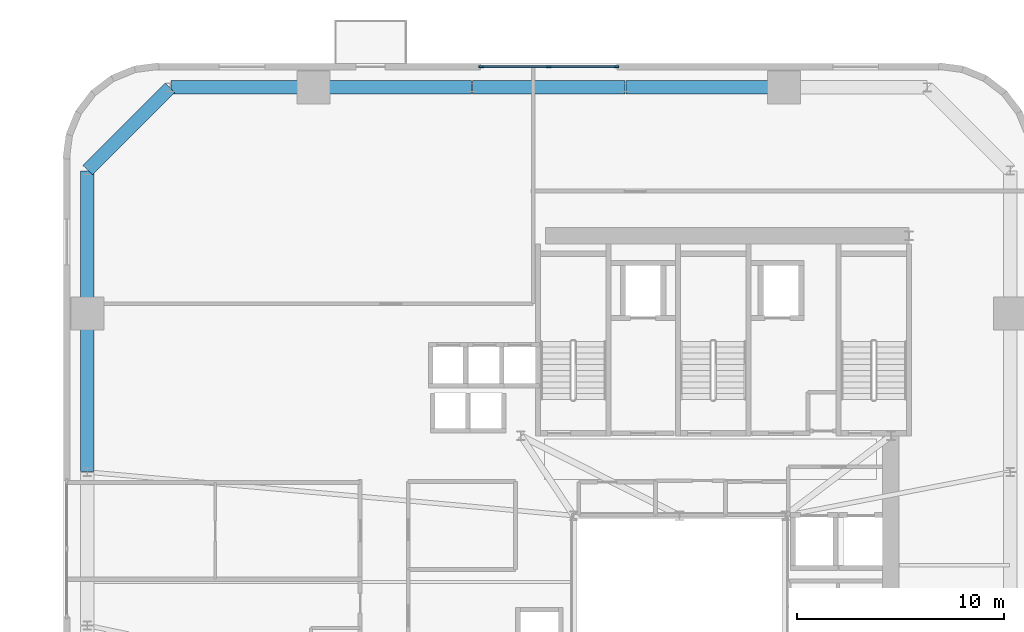
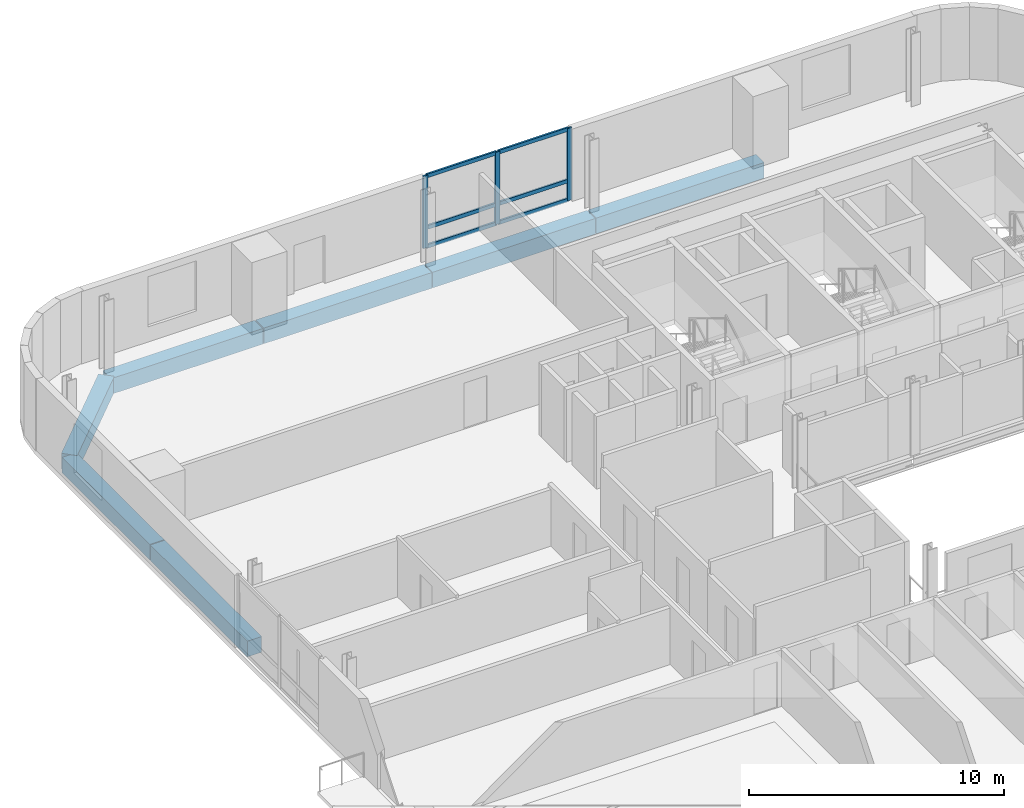
# One storey, part 4 of 11: 9 members, 7 beams, 1 element without a shape of its own.
"""IFC4 building model written with IfcOpenShell, lengths in metres."""

from ifc_helpers import new_model, si_unit, direction, frame, origin, origin_2d, place, context, subcontext, project, spatial, rectangle, extrude, source, transform, mapped, material, material_profile, profile_set, type_object, element, aggregate, save


model = new_model("IFC4")

# Units and contexts
model_context = context("Model", 3, precision=1e-05, world=origin(), true_north=direction((0.0, 1.0)))
body_context = subcontext(model_context, "Body", "Model", "MODEL_VIEW")
ifc_project = project(units=[si_unit("LENGTHUNIT", "METRE"), si_unit("AREAUNIT", "SQUARE_METRE"), si_unit("VOLUMEUNIT", "CUBIC_METRE"), si_unit("PLANEANGLEUNIT", "RADIAN"), si_unit("MASSUNIT", "GRAM", prefix="KILO")], contexts=[model_context])

# Site, building, storey
site_placement = place(None, origin())
site = spatial("IfcSite", under=ifc_project, at=site_placement, CompositionType="ELEMENT")
building_placement = place(site_placement, origin())
building = spatial("IfcBuilding", under=site, at=building_placement, Name="Vardaveli Station Tower", CompositionType="ELEMENT")
storey_placement = place(building_placement, frame((0.0, 0.0, 137.199951171875)))
storey = spatial("IfcBuildingStorey", under=building, at=storey_placement, Name="L35", CompositionType="ELEMENT", Elevation=137.199951171875)

# Beams
ifc_material_1 = material(Name="Precast concrete C45/55", Category="concrete")
ifc_material_profile_1 = material_profile(ifc_material_1, rectangle(XDim=0.64990234375, YDim=0.75, at=origin_2d()), Name="LPB 650x750")
ifc_profile_set_1 = profile_set([ifc_material_profile_1], Name="Precast concrete C45/55")
beam_type = type_object("IfcBeamType", Name="BM-LPB-750", PredefinedType="BEAM", material=ifc_profile_set_1)
shared_shape_1 = source(origin(), body_context, "Body", "SweptSolid", [
    extrude(rectangle(XDim=0.64990234375, YDim=0.75, at=origin_2d()), origin(), (0.0, 0.0, 1.0), 7.60009765625),
])
for number, where, z_axis, x_axis, name in (
    (1, (41.320068359375, 47.449951171875, -0.614990234375), (-1.0, 0.0, 0.0), (0.0, -1.0, 0.0), "RBM-L35-13"),
    (2, (26.280029296875, 47.449951171875, -0.614990234375), (-1.0, 0.0, 0.0), (0.0, -1.0, 0.0), "RBM-L35-15"),
    (3, (7.75, 36.52001953125, -0.614990234375), (0.0, -1.0, 0.0), (1.0, 0.0, 0.0), "RBM-L35-19"),
):
    element("IfcBeam", number, at=place(storey_placement, frame(where, z_axis=z_axis, x_axis=x_axis)), inside=storey, type_object=beam_type, Name=name, PredefinedType="BEAM", context=body_context, shape_type="MappedRepresentation", body=[
        mapped(shared_shape_1, transform((0.0, 0.0, 0.0), scale=1.0)),
    ])
shared_shape_2 = source(origin(), body_context, "Body", "SweptSolid", [
    extrude(rectangle(XDim=0.64990234375, YDim=0.75, at=origin_2d()), origin(), (0.0, 0.0, 1.0), 7.35986328125),
])
beam_1_placement = place(storey_placement, frame((33.679931640625, 47.449951171875, -0.614990234375), z_axis=(-1.0, 0.0, 0.0), x_axis=(0.0, -1.0, 0.0)))
element("IfcBeam", 4, at=beam_1_placement, inside=storey, type_object=beam_type, Name="RBM-L35-14", PredefinedType="BEAM", context=body_context, shape_type="MappedRepresentation", body=[
    mapped(shared_shape_2, transform((0.0, 0.0, 0.0), scale=1.0)),
])
shared_shape_3 = source(origin(), body_context, "Body", "SweptSolid", [
    extrude(rectangle(XDim=0.64990234375, YDim=0.75, at=origin_2d()), origin(), (0.0, 0.0, 1.0), 6.869873046875),
])
for number, where, z_axis, x_axis, name in (
    (5, (18.639892578125, 47.449951171875, -0.614990234375), (-1.0, 0.0, 0.0), (0.0, -1.0, 0.0), "RBM-L35-16"),
    (6, (7.75, 43.429931640625, -0.614990234375), (0.0, -1.0, 0.0), (1.0, 0.0, 0.0), "RBM-L35-18"),
):
    element("IfcBeam", number, at=place(storey_placement, frame(where, z_axis=z_axis, x_axis=x_axis)), inside=storey, type_object=beam_type, Name=name, PredefinedType="BEAM", context=body_context, shape_type="MappedRepresentation", body=[
        mapped(shared_shape_3, transform((0.0, 0.0, 0.0), scale=1.0)),
    ])
shared_shape_4 = source(origin(), body_context, "Body", "SweptSolid", [
    extrude(rectangle(XDim=0.64990234375, YDim=0.75, at=origin_2d()), origin(), (0.0, 0.0, 1.0), 5.61669921875),
])
beam_2_placement = place(storey_placement, frame((11.73583984375, 47.435791015625, -0.614990234375), z_axis=(-0.707106781187, -0.707106781187, 0.0), x_axis=(0.707106781187, -0.707106781187, 0.0)))
element("IfcBeam", 7, at=beam_2_placement, inside=storey, type_object=beam_type, Name="RBM-L35-17", PredefinedType="BEAM", context=body_context, shape_type="MappedRepresentation", body=[
    mapped(shared_shape_4, transform((0.0, 0.0, 0.0), scale=1.0)),
])

# Curtain wall, members
ifc_material_2 = material(Name="Travertine stone and solar-control glass", Category="masonry")
curtain_wall_type = type_object("IfcCurtainWallType", Name="CW-SYS-2", PredefinedType="NOTDEFINED", material=ifc_material_2)
curtain_wall_placement = place(storey_placement, origin())
curtain_wall = element("IfcCurtainWall", 8, at=curtain_wall_placement, inside=storey, type_object=curtain_wall_type, Name="CW-L35-N", PredefinedType="NOTDEFINED")
ifc_material_3 = material(Name="Anodised aluminium alloy 6063-T6", Category="aluminium")
ifc_material_profile_2 = material_profile(ifc_material_3, rectangle(XDim=0.0849609375, YDim=0.179931640625, at=origin_2d()), Name="CWT 85x180")
ifc_profile_set_2 = profile_set([ifc_material_profile_2], Name="Anodised aluminium alloy 6063-T6")
member_type_1 = type_object("IfcMemberType", Name="CW-SYS-2-TRAN", PredefinedType="NOTDEFINED", material=ifc_profile_set_2)
shared_shape_5 = source(origin(), body_context, "Body", "SweptSolid", [
    extrude(rectangle(XDim=0.0849609375, YDim=0.179931640625, at=origin_2d()), origin(), (0.0, 0.0, 1.0), 3.172607421875),
])
member_1_placement = place(storey_placement, frame((33.215087890625, 48.43994140625, 0.04248046875), z_axis=(-1.0, 0.0, 0.0), x_axis=(0.0, -1.0, 0.0)))
member_1 = element("IfcMember", 9, at=member_1_placement, type_object=member_type_1, Name="CW-2 transom 1.1", ObjectType="TRANSOM", PredefinedType="USERDEFINED", context=body_context, shape_type="MappedRepresentation", body=[
    mapped(shared_shape_5, transform((0.0, 0.0, 0.0), scale=1.0)),
])
member_2_placement = place(storey_placement, frame((33.215087890625, 48.43994140625, 0.949951171875), z_axis=(-1.0, 0.0, 0.0), x_axis=(0.0, -1.0, 0.0)))
member_2 = element("IfcMember", 10, at=member_2_placement, type_object=member_type_1, Name="CW-2 transom 1.2", ObjectType="TRANSOM", PredefinedType="USERDEFINED", context=body_context, shape_type="MappedRepresentation", body=[
    mapped(shared_shape_5, transform((0.0, 0.0, 0.0), scale=1.0)),
])
member_3_placement = place(storey_placement, frame((33.215087890625, 48.43994140625, 3.41748046875), z_axis=(-1.0, 0.0, 0.0), x_axis=(0.0, -1.0, 0.0)))
member_3 = element("IfcMember", 11, at=member_3_placement, type_object=member_type_1, Name="CW-2 transom 1.3", ObjectType="TRANSOM", PredefinedType="USERDEFINED", context=body_context, shape_type="MappedRepresentation", body=[
    mapped(shared_shape_5, transform((0.0, 0.0, 0.0), scale=1.0)),
])
member_4_placement = place(storey_placement, frame((29.95751953125, 48.43994140625, 0.04248046875), z_axis=(-1.0, 0.0, 0.0), x_axis=(0.0, -1.0, 0.0)))
member_4 = element("IfcMember", 12, at=member_4_placement, type_object=member_type_1, Name="CW-2 transom 2.1", ObjectType="TRANSOM", PredefinedType="USERDEFINED", context=body_context, shape_type="MappedRepresentation", body=[
    mapped(shared_shape_5, transform((0.0, 0.0, 0.0), scale=1.0)),
])
member_5_placement = place(storey_placement, frame((29.95751953125, 48.43994140625, 0.949951171875), z_axis=(-1.0, 0.0, 0.0), x_axis=(0.0, -1.0, 0.0)))
member_5 = element("IfcMember", 13, at=member_5_placement, type_object=member_type_1, Name="CW-2 transom 2.2", ObjectType="TRANSOM", PredefinedType="USERDEFINED", context=body_context, shape_type="MappedRepresentation", body=[
    mapped(shared_shape_5, transform((0.0, 0.0, 0.0), scale=1.0)),
])
member_6_placement = place(storey_placement, frame((29.95751953125, 48.43994140625, 3.41748046875), z_axis=(-1.0, 0.0, 0.0), x_axis=(0.0, -1.0, 0.0)))
member_6 = element("IfcMember", 14, at=member_6_placement, type_object=member_type_1, Name="CW-2 transom 2.3", ObjectType="TRANSOM", PredefinedType="USERDEFINED", context=body_context, shape_type="MappedRepresentation", body=[
    mapped(shared_shape_5, transform((0.0, 0.0, 0.0), scale=1.0)),
])
ifc_material_profile_3 = material_profile(ifc_material_3, rectangle(XDim=0.0849609375, YDim=0.219970703125, at=origin_2d()), Name="CWM 85x220")
ifc_profile_set_3 = profile_set([ifc_material_profile_3], Name="Anodised aluminium alloy 6063-T6")
member_type_2 = type_object("IfcMemberType", Name="CW-SYS-2-MULL", PredefinedType="MULLION", material=ifc_profile_set_3)
shared_shape_6 = source(origin(), body_context, "Body", "SweptSolid", [
    extrude(rectangle(XDim=0.0849609375, YDim=0.219970703125, at=origin_2d()), origin(), (0.0, 0.0, 1.0), 3.4599609375),
])
member_7_placement = place(storey_placement, frame((33.257568359375, 48.43994140625, 0.0), z_axis=(0.0, 0.0, 1.0), x_axis=(0.0, -1.0, 0.0)))
member_7 = element("IfcMember", 15, at=member_7_placement, type_object=member_type_2, Name="CW-2 mullion 1", PredefinedType="MULLION", context=body_context, shape_type="MappedRepresentation", body=[
    mapped(shared_shape_6, transform((0.0, 0.0, 0.0), scale=1.0)),
])
member_8_placement = place(storey_placement, frame((30.0, 48.43994140625, 0.0), z_axis=(0.0, 0.0, 1.0), x_axis=(0.0, -1.0, 0.0)))
member_8 = element("IfcMember", 16, at=member_8_placement, type_object=member_type_2, Name="CW-2 mullion 2", PredefinedType="MULLION", context=body_context, shape_type="MappedRepresentation", body=[
    mapped(shared_shape_6, transform((0.0, 0.0, 0.0), scale=1.0)),
])
member_9_placement = place(storey_placement, frame((26.742431640625, 48.43994140625, 0.0), z_axis=(0.0, 0.0, 1.0), x_axis=(0.0, -1.0, 0.0)))
member_9 = element("IfcMember", 17, at=member_9_placement, type_object=member_type_2, Name="CW-2 mullion 3", PredefinedType="MULLION", context=body_context, shape_type="MappedRepresentation", body=[
    mapped(shared_shape_6, transform((0.0, 0.0, 0.0), scale=1.0)),
])
aggregate(curtain_wall, [member_7, member_8, member_9, member_1, member_2, member_3, member_4, member_5, member_6])

save(model, "model.ifc")
